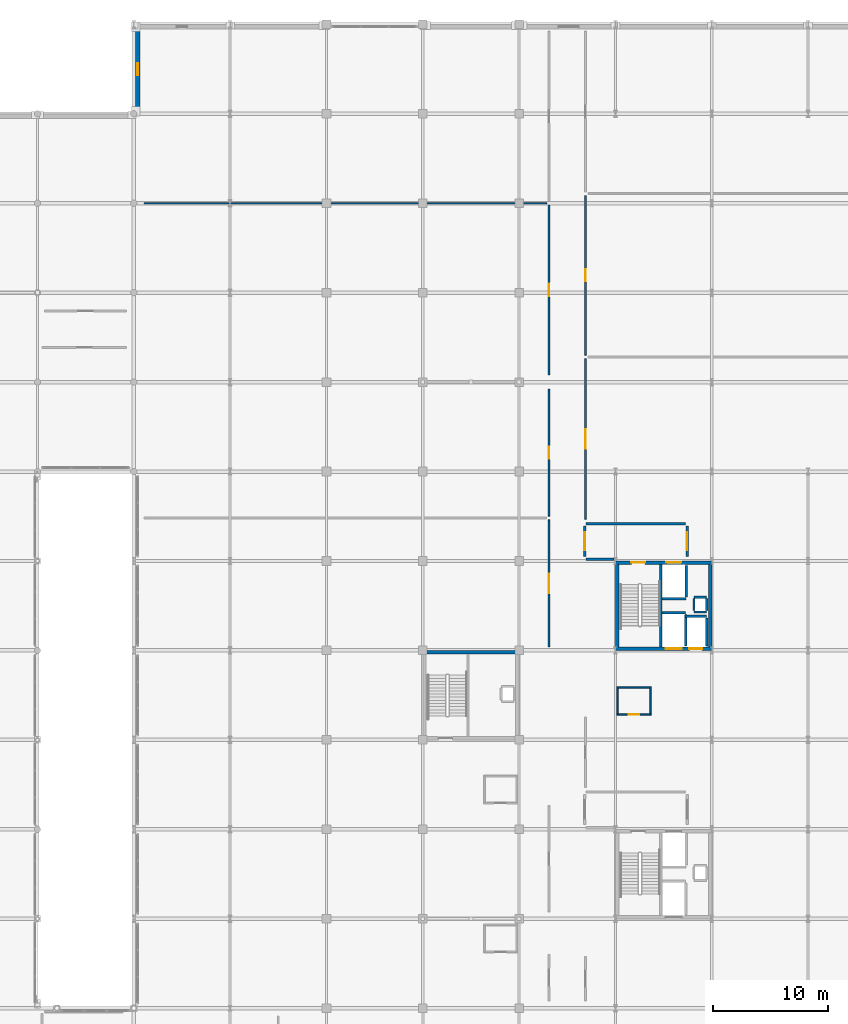
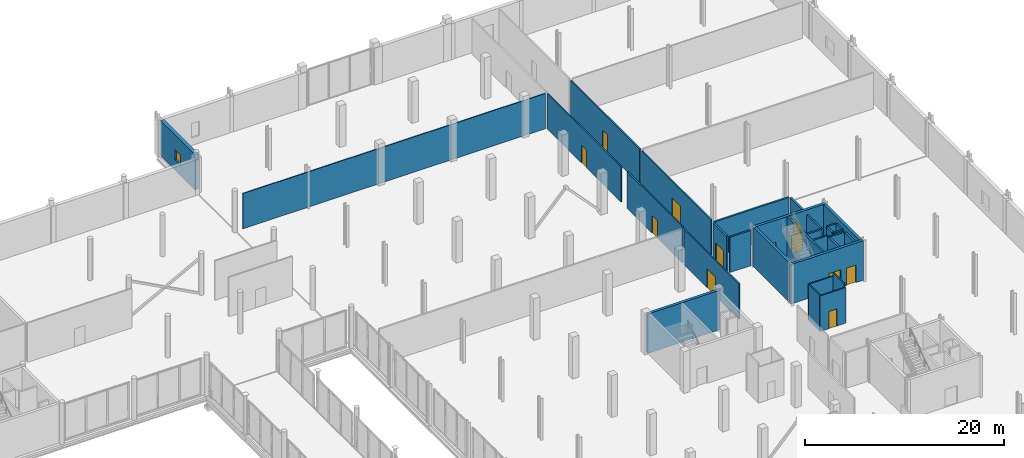
# One storey, part 83 of 105: 31 walls, 12 doors, 1 window, 13 openings.
"""IFC4 building model written with IfcOpenShell, lengths in metres."""

from ifc_helpers import new_model, si_unit, direction, frame, frame_2d, origin, place, context, subcontext, project, spatial, rectangle, extrude, material, layer, layer_set, type_object, element, fill, save


model = new_model("IFC4")

# Units and contexts
model_context = context("Model", 3, precision=1e-05, world=origin(), true_north=direction((0.0, 1.0)))
body_context = subcontext(model_context, "Body", "Model", "MODEL_VIEW")
ifc_project = project(units=[si_unit("LENGTHUNIT", "METRE"), si_unit("AREAUNIT", "SQUARE_METRE"), si_unit("VOLUMEUNIT", "CUBIC_METRE"), si_unit("PLANEANGLEUNIT", "RADIAN"), si_unit("MASSUNIT", "GRAM", prefix="KILO")], contexts=[model_context])

# Site, building, storey
site_placement = place(None, origin())
site = spatial("IfcSite", under=ifc_project, at=site_placement, CompositionType="ELEMENT")
building_placement = place(site_placement, origin())
building = spatial("IfcBuilding", under=site, at=building_placement, Name="Nabrawat Pavilion Hospital", CompositionType="ELEMENT")
storey_placement = place(building_placement, frame((0.0, 0.0, 5.10009765625)))
storey = spatial("IfcBuildingStorey", under=building, at=storey_placement, Name="L01", CompositionType="ELEMENT", Elevation=5.10009765625)

# Wall
ifc_material_1 = material(Name="Gypsum Plasterboard on Stud", Category="gypsum")
ifc_layer_1 = layer(ifc_material_1, 0.10009765625, Name="Gypsum Plasterboard on Stud")
ifc_layer_set_1 = layer_set([ifc_layer_1], Name="Gypsum Plasterboard on Stud")
wall_type_1 = type_object("IfcWallType", Name="Clean Utility Sub-Partition 100", PredefinedType="PARTITIONING", material=ifc_layer_set_1)
wall_1_placement = place(storey_placement, frame((126.889892578125, 109.199951171875, 0.0), z_axis=(0.0, 0.0, 1.0), x_axis=(1.0, 0.0, 0.0)))
element("IfcWall", 1, at=wall_1_placement, inside=storey, type_object=wall_type_1, Name="L01 Maternity Perinatal Clinical Care Hub L01-05 Dividing Partition", PredefinedType="PARTITIONING", context=body_context, shape_type="SweptSolid", body=[
    extrude(rectangle(XDim=35.10009765625, YDim=0.10009765625, at=frame_2d((17.550048828125, 0.0))), origin(), (0.0, 0.0, 1.0), 4.329833984375),
])

# Wall, opening, door
ifc_material_2 = material(Name="Gypsum Fireboard on Steel Stud", Category="steel")
ifc_layer_2 = layer(ifc_material_2, 0.14990234375, Name="Gypsum Fireboard on Steel Stud")
ifc_layer_set_2 = layer_set([ifc_layer_2], Name="Gypsum Fireboard on Steel Stud")
wall_type_2 = type_object("IfcWallType", Name="Clinical Corridor Smoke-Barrier Wall 150", PredefinedType="PARTITIONING", material=ifc_layer_set_2)
wall_2_placement = place(storey_placement, frame((162.2099609375, 70.52001953125, 0.0), z_axis=(0.0, 0.0, 1.0), x_axis=(0.0, 1.0, 0.0)))
wall_2 = element("IfcWall", 2, at=wall_2_placement, inside=storey, type_object=wall_type_2, Name="L01 Intensive Care Pod Neonatal NICU L01-03 Front Partition", PredefinedType="PARTITIONING", context=body_context, shape_type="SweptSolid", body=[
    extrude(rectangle(XDim=11.070068359375, YDim=0.14990234375, at=frame_2d((5.53515625, 0.0))), origin(), (0.0, 0.0, 1.0), 4.329833984375),
])
opening_1_placement = place(wall_2_placement, frame((4.68505859375, 0.0, 0.0)))
opening_1 = element("IfcOpeningElement", 3, at=opening_1_placement, cuts=wall_2, Name="Opening D-ICU", PredefinedType="OPENING", context=body_context, shape_type="SweptSolid", body=[
    extrude(rectangle(XDim=1.699951171875, YDim=2.300048828125, at=frame_2d((0.85009765625, 1.14990234375))), frame((0.0, 0.0849609375, 0.0), z_axis=(0.0, -1.0, 0.0), x_axis=(1.0, 0.0, 0.0)), (0.0, 0.0, 1.0), 0.169921875),
])
ifc_material_3 = material(Name="Stainless-Clad Acoustic Timber and Vision Glass", Category="wood")
door_type_1 = type_object("IfcDoorType", Name="Intensive Care Glazed Breakout Door 1700x2300", OperationType="DOUBLE_DOOR_SLIDING", PredefinedType="DOOR", material=ifc_material_3)
door_1_placement = place(opening_1_placement, origin())
door_1 = element("IfcDoor", 4, at=door_1_placement, inside=storey, type_object=door_type_1, Name="Intensive Care Pod Neonatal NICU L01-03 Door", OperationType="DOUBLE_DOOR_SLIDING", OverallHeight=2.300048828125, OverallWidth=1.699951171875, PredefinedType="DOOR", context=body_context, shape_type="SweptSolid", body=[
    extrude(rectangle(XDim=1.699951171875, YDim=2.300048828125, at=frame_2d((0.85009765625, 1.14990234375))), frame((0.0, 0.02490234375, 0.0), z_axis=(0.0, -1.0, 0.0), x_axis=(1.0, 0.0, 0.0)), (0.0, 0.0, 1.0), 0.050048828125),
])
fill(opening_1, door_1)

wall_3_placement = place(storey_placement, frame((162.2099609375, 81.909912109375, 0.0), z_axis=(0.0, 0.0, 1.0), x_axis=(0.0, 1.0, 0.0)))
wall_3 = element("IfcWall", 5, at=wall_3_placement, inside=storey, type_object=wall_type_2, Name="L01 Maternity Ward Nurse Station L01-04 Front Partition", PredefinedType="PARTITIONING", context=body_context, shape_type="SweptSolid", body=[
    extrude(rectangle(XDim=11.070068359375, YDim=0.14990234375, at=frame_2d((5.53515625, 0.0))), origin(), (0.0, 0.0, 1.0), 4.489990234375),
])
opening_2_placement = place(wall_3_placement, frame((5.010009765625, 0.0, 0.0)))
opening_2 = element("IfcOpeningElement", 6, at=opening_2_placement, cuts=wall_3, Name="Opening D-OPC-L", PredefinedType="OPENING", context=body_context, shape_type="SweptSolid", body=[
    extrude(rectangle(XDim=1.050048828125, YDim=2.14990234375, at=frame_2d((0.52490234375, 1.074951171875))), frame((0.0, 0.0849609375, 0.0), z_axis=(0.0, -1.0, 0.0), x_axis=(1.0, 0.0, 0.0)), (0.0, 0.0, 1.0), 0.169921875),
])
door_type_2 = type_object("IfcDoorType", Name="Outpatient Clinic Consultation Door L 1050x2150", OperationType="NOTDEFINED", PredefinedType="DOOR", material=ifc_material_3)
door_2_placement = place(opening_2_placement, origin())
door_2 = element("IfcDoor", 7, at=door_2_placement, inside=storey, type_object=door_type_2, Name="Maternity Ward Nurse Station L01-04 Door", OperationType="SINGLE_SWING_RIGHT", OverallHeight=2.14990234375, OverallWidth=1.050048828125, PredefinedType="DOOR", context=body_context, shape_type="SweptSolid", body=[
    extrude(rectangle(XDim=1.050048828125, YDim=2.14990234375, at=frame_2d((0.52490234375, 1.074951171875))), frame((0.0, 0.02490234375, 0.0), z_axis=(0.0, -1.0, 0.0), x_axis=(1.0, 0.0, 0.0)), (0.0, 0.0, 1.0), 0.050048828125),
])
fill(opening_2, door_2)

wall_4_placement = place(storey_placement, frame((162.2099609375, 94.219970703125, 0.0), z_axis=(0.0, 0.0, 1.0), x_axis=(0.0, 1.0, 0.0)))
wall_4 = element("IfcWall", 8, at=wall_4_placement, inside=storey, type_object=wall_type_2, Name="L01 Maternity Perinatal Clinical Care Hub L01-05 Front Partition", PredefinedType="PARTITIONING", context=body_context, shape_type="SweptSolid", body=[
    extrude(rectangle(XDim=14.820068359375, YDim=0.14990234375, at=frame_2d((7.41015625, 0.0))), origin(), (0.0, 0.0, 1.0), 4.329833984375),
])
opening_3_placement = place(wall_4_placement, frame((6.885009765625, 0.0, 0.0)))
opening_3 = element("IfcOpeningElement", 9, at=opening_3_placement, cuts=wall_4, Name="Opening D-OPC-R", PredefinedType="OPENING", context=body_context, shape_type="SweptSolid", body=[
    extrude(rectangle(XDim=1.050048828125, YDim=2.14990234375, at=frame_2d((0.52490234375, 1.074951171875))), frame((0.0, 0.0849609375, 0.0), z_axis=(0.0, -1.0, 0.0), x_axis=(1.0, 0.0, 0.0)), (0.0, 0.0, 1.0), 0.169921875),
])
door_type_3 = type_object("IfcDoorType", Name="Outpatient Clinic Consultation Door R 1050x2150", OperationType="NOTDEFINED", PredefinedType="DOOR", material=ifc_material_3)
door_3_placement = place(opening_3_placement, origin())
door_3 = element("IfcDoor", 10, at=door_3_placement, inside=storey, type_object=door_type_3, Name="Maternity Perinatal Clinical Care Hub L01-05 Door", OperationType="SINGLE_SWING_LEFT", OverallHeight=2.14990234375, OverallWidth=1.050048828125, PredefinedType="DOOR", context=body_context, shape_type="SweptSolid", body=[
    extrude(rectangle(XDim=1.050048828125, YDim=2.14990234375, at=frame_2d((0.52490234375, 1.074951171875))), frame((0.0, 0.02490234375, 0.0), z_axis=(0.0, -1.0, 0.0), x_axis=(1.0, 0.0, 0.0)), (0.0, 0.0, 1.0), 0.050048828125),
])
fill(opening_3, door_3)

wall_5_placement = place(storey_placement, frame((165.389892578125, 81.64990234375, 0.0), z_axis=(0.0, 0.0, 1.0), x_axis=(0.0, 1.0, 0.0)))
wall_5 = element("IfcWall", 11, at=wall_5_placement, inside=storey, type_object=wall_type_2, Name="L01 Intensive Care Pod Neonatal NICU L01-09 Front Partition", PredefinedType="PARTITIONING", context=body_context, shape_type="SweptSolid", body=[
    extrude(rectangle(XDim=13.989990234375, YDim=0.14990234375, at=frame_2d((6.9951171875, 0.0))), origin(), (0.0, 0.0, 1.0), 4.329833984375),
])
opening_4_placement = place(wall_5_placement, frame((6.14501953125, 0.0, 0.0)))
opening_4 = element("IfcOpeningElement", 12, at=opening_4_placement, cuts=wall_5, Name="Opening D-ICU", PredefinedType="OPENING", context=body_context, shape_type="SweptSolid", body=[
    extrude(rectangle(XDim=1.699951171875, YDim=2.300048828125, at=frame_2d((0.85009765625, 1.14990234375))), frame((0.0, 0.0849609375, 0.0), z_axis=(0.0, -1.0, 0.0), x_axis=(1.0, 0.0, 0.0)), (0.0, 0.0, 1.0), 0.169921875),
])
door_4_placement = place(opening_4_placement, origin())
door_4 = element("IfcDoor", 13, at=door_4_placement, inside=storey, type_object=door_type_1, Name="Intensive Care Pod Neonatal NICU L01-09 Door", OperationType="DOUBLE_DOOR_SLIDING", OverallHeight=2.300048828125, OverallWidth=1.699951171875, PredefinedType="DOOR", context=body_context, shape_type="SweptSolid", body=[
    extrude(rectangle(XDim=1.699951171875, YDim=2.300048828125, at=frame_2d((0.85009765625, 1.14990234375))), frame((0.0, 0.02490234375, 0.0), z_axis=(0.0, -1.0, 0.0), x_axis=(1.0, 0.0, 0.0)), (0.0, 0.0, 1.0), 0.050048828125),
])
fill(opening_4, door_4)

wall_6_placement = place(storey_placement, frame((165.389892578125, 95.9599609375, 0.0), z_axis=(0.0, 0.0, 1.0), x_axis=(0.0, 1.0, 0.0)))
wall_6 = element("IfcWall", 14, at=wall_6_placement, inside=storey, type_object=wall_type_2, Name="L01 Maternity Ward Nurse Station L01-10 Front Partition", PredefinedType="PARTITIONING", context=body_context, shape_type="SweptSolid", body=[
    extrude(rectangle(XDim=13.91015625, YDim=0.14990234375, at=frame_2d((6.955078125, 0.0))), origin(), (0.0, 0.0, 1.0), 4.329833984375),
])
opening_5_placement = place(wall_6_placement, frame((6.429931640625, 0.0, 0.0)))
opening_5 = element("IfcOpeningElement", 15, at=opening_5_placement, cuts=wall_6, Name="Opening D-OPC-R", PredefinedType="OPENING", context=body_context, shape_type="SweptSolid", body=[
    extrude(rectangle(XDim=1.050048828125, YDim=2.14990234375, at=frame_2d((0.52490234375, 1.074951171875))), frame((0.0, 0.0849609375, 0.0), z_axis=(0.0, -1.0, 0.0), x_axis=(1.0, 0.0, 0.0)), (0.0, 0.0, 1.0), 0.169921875),
])
door_5_placement = place(opening_5_placement, origin())
door_5 = element("IfcDoor", 16, at=door_5_placement, inside=storey, type_object=door_type_3, Name="Maternity Ward Nurse Station L01-10 Door", OperationType="SINGLE_SWING_LEFT", OverallHeight=2.14990234375, OverallWidth=1.050048828125, PredefinedType="DOOR", context=body_context, shape_type="SweptSolid", body=[
    extrude(rectangle(XDim=1.050048828125, YDim=2.14990234375, at=frame_2d((0.52490234375, 1.074951171875))), frame((0.0, 0.02490234375, 0.0), z_axis=(0.0, -1.0, 0.0), x_axis=(1.0, 0.0, 0.0)), (0.0, 0.0, 1.0), 0.050048828125),
])
fill(opening_5, door_5)

# Wall, opening, window
ifc_material_4 = material(Name="Precast concrete C40/50", Category="concrete")
ifc_layer_3 = layer(ifc_material_4, 0.419921875, Name="Precast concrete C40/50")
ifc_layer_set_3 = layer_set([ifc_layer_3], Name="Precast concrete C40/50")
wall_type_3 = type_object("IfcWallType", Name="Diagnostic Shielded Precast Facade Wall 420", PredefinedType="SOLIDWALL", material=ifc_layer_set_3)
wall_7_placement = place(storey_placement, frame((126.340087890625, 117.43994140625, 0.0), z_axis=(0.0, 0.0, 1.0), x_axis=(0.0, 1.0, 0.0)))
wall_7 = element("IfcWall", 17, at=wall_7_placement, inside=storey, type_object=wall_type_3, Name="L01 Diagnostic Shielded Precast Facade Wall 420 213", PredefinedType="SOLIDWALL", context=body_context, shape_type="SweptSolid", body=[
    extrude(rectangle(XDim=6.920166015625, YDim=0.419921875, at=frame_2d((3.4599609375, 0.0))), origin(), (0.0, 0.0, 1.0), 4.329833984375),
])
opening_6_placement = place(wall_7_placement, frame((2.93505859375, 0.0, 1.300048828125)))
opening_6 = element("IfcOpeningElement", 18, at=opening_6_placement, cuts=wall_7, Name="Opening WN-18", PredefinedType="OPENING", context=body_context, shape_type="SweptSolid", body=[
    extrude(rectangle(XDim=1.050048828125, YDim=1.199951171875, at=frame_2d((0.52490234375, 0.60009765625))), frame((0.0, 0.219970703125, 0.0), z_axis=(0.0, -1.0, 0.0), x_axis=(1.0, 0.0, 0.0)), (0.0, 0.0, 1.0), 0.43994140625),
])
ifc_material_5 = material(Name="Thermally Broken Aluminium and Solar Glass", Category="aluminium")
window_type = type_object("IfcWindowType", Name="Pharmacy Daylight Slot Window 1050x1200", PartitioningType="SINGLE_PANEL", PredefinedType="WINDOW", material=ifc_material_5)
window_placement = place(opening_6_placement, origin())
window = element("IfcWindow", 19, at=window_placement, inside=storey, type_object=window_type, Name="L01 Pharmacy Daylight Slot Window 1050x1200 082", OverallHeight=1.199951171875, OverallWidth=1.050048828125, PartitioningType="SINGLE_PANEL", PredefinedType="WINDOW", context=body_context, shape_type="SweptSolid", body=[
    extrude(rectangle(XDim=1.050048828125, YDim=1.199951171875, at=frame_2d((0.52490234375, 0.60009765625))), frame((0.0, 0.030029296875, 0.0), z_axis=(0.0, -1.0, 0.0), x_axis=(1.0, 0.0, 0.0)), (0.0, 0.0, 1.0), 0.06005859375),
])
fill(opening_6, window)

# Wall, opening, door
ifc_material_6 = material(Name="Cement Board on Steel Stud", Category="steel")
ifc_layer_4 = layer(ifc_material_6, 0.1298828125, Name="Cement Board on Steel Stud")
ifc_layer_set_4 = layer_set([ifc_layer_4], Name="Cement Board on Steel Stud")
wall_type_4 = type_object("IfcWallType", Name="En-Suite Moisture-Resistant Partition 130", PredefinedType="PARTITIONING", material=ifc_layer_set_4)
wall_8_placement = place(storey_placement, frame((168.125, 64.6298828125, 0.0), z_axis=(0.0, 0.0, 1.0), x_axis=(1.0, 0.0, 0.0)))
wall_8 = element("IfcWall", 20, at=wall_8_placement, inside=storey, type_object=wall_type_4, Name="L01 En-Suite Bathroom LDR-01-08 Front Partition", PredefinedType="PARTITIONING", context=body_context, shape_type="SweptSolid", body=[
    extrude(rectangle(XDim=2.97998046875, YDim=0.1298828125, at=frame_2d((1.489990234375, 0.0))), origin(), (0.0, 0.0, 1.0), 4.3798828125),
])
opening_7_placement = place(wall_8_placement, frame((1.0400390625, 0.0, 0.0)))
opening_7 = element("IfcOpeningElement", 21, at=opening_7_placement, cuts=wall_8, Name="Opening D-ENS-R", PredefinedType="OPENING", context=body_context, shape_type="SweptSolid", body=[
    extrude(rectangle(XDim=0.89990234375, YDim=2.10009765625, at=frame_2d((0.449951171875, 1.050048828125))), frame((0.0, 0.074951171875, 0.0), z_axis=(0.0, -1.0, 0.0), x_axis=(1.0, 0.0, 0.0)), (0.0, 0.0, 1.0), 0.14990234375),
])
door_type_4 = type_object("IfcDoorType", Name="En-Suite Bathroom Outward Door R 900x2100", OperationType="NOTDEFINED", PredefinedType="DOOR", material=ifc_material_3)
door_6_placement = place(opening_7_placement, origin())
door_6 = element("IfcDoor", 22, at=door_6_placement, inside=storey, type_object=door_type_4, Name="En-Suite Bathroom LDR-01-08 Door", OperationType="SINGLE_SWING_LEFT", OverallHeight=2.10009765625, OverallWidth=0.89990234375, PredefinedType="DOOR", context=body_context, shape_type="SweptSolid", body=[
    extrude(rectangle(XDim=0.89990234375, YDim=2.10009765625, at=frame_2d((0.449951171875, 1.050048828125))), frame((0.0, 0.02490234375, 0.0), z_axis=(0.0, -1.0, 0.0), x_axis=(1.0, 0.0, 0.0)), (0.0, 0.0, 1.0), 0.050048828125),
])
fill(opening_7, door_6)

# Walls
wall_9_placement = place(storey_placement, frame((168.125, 66.97998046875, 0.0), z_axis=(0.0, 0.0, 1.0), x_axis=(1.0, 0.0, 0.0)))
element("IfcWall", 23, at=wall_9_placement, inside=storey, type_object=wall_type_4, Name="L01 En-Suite Bathroom LDR-01-08 North Partition", PredefinedType="PARTITIONING", context=body_context, shape_type="SweptSolid", body=[
    extrude(rectangle(XDim=2.97998046875, YDim=0.1298828125, at=frame_2d((1.489990234375, 0.0))), origin(), (0.0, 0.0, 1.0), 4.3798828125),
])
wall_10_placement = place(storey_placement, frame((168.18994140625, 64.695068359375, 0.0), z_axis=(0.0, 0.0, 1.0), x_axis=(0.0, 1.0, 0.0)))
element("IfcWall", 24, at=wall_10_placement, inside=storey, type_object=wall_type_4, Name="L01 En-Suite Bathroom LDR-01-08 West Partition", PredefinedType="PARTITIONING", context=body_context, shape_type="SweptSolid", body=[
    extrude(rectangle(XDim=2.219970703125, YDim=0.1298828125, at=frame_2d((1.10986328125, 0.0))), origin(), (0.0, 0.0, 1.0), 4.3798828125),
])
wall_11_placement = place(storey_placement, frame((171.0400390625, 64.695068359375, 0.0), z_axis=(0.0, 0.0, 1.0), x_axis=(0.0, 1.0, 0.0)))
element("IfcWall", 25, at=wall_11_placement, inside=storey, type_object=wall_type_4, Name="L01 En-Suite Bathroom LDR-01-08 East Partition", PredefinedType="PARTITIONING", context=body_context, shape_type="SweptSolid", body=[
    extrude(rectangle(XDim=2.219970703125, YDim=0.1298828125, at=frame_2d((1.10986328125, 0.0))), origin(), (0.0, 0.0, 1.0), 4.81982421875),
])
ifc_material_7 = material(Name="Concrete C35/45", Category="concrete")
ifc_layer_5 = layer(ifc_material_7, 0.199951171875, Name="Concrete C35/45")
ifc_layer_set_5 = layer_set([ifc_layer_5], Name="Concrete C35/45")
wall_type_5 = type_object("IfcWallType", Name="Firefighting Lobby Compartment Wall 200", PredefinedType="PARTITIONING", material=ifc_layer_set_5)
wall_12_placement = place(storey_placement, frame((165.43994140625, 78.14990234375, 0.0), z_axis=(0.0, 0.0, 1.0), x_axis=(1.0, 0.0, 0.0)))
element("IfcWall", 26, at=wall_12_placement, inside=storey, type_object=wall_type_5, Name="L01 CORE-6 Firefighting Lobby South Return Wall", PredefinedType="PARTITIONING", context=body_context, shape_type="SweptSolid", body=[
    extrude(rectangle(XDim=2.43994140625, YDim=0.199951171875, at=frame_2d((1.219970703125, 0.0))), origin(), (0.0, 0.0, 1.0), 4.329833984375),
])
wall_13_placement = place(storey_placement, frame((165.43994140625, 81.25, 0.0), z_axis=(0.0, 0.0, 1.0), x_axis=(1.0, 0.0, 0.0)))
element("IfcWall", 27, at=wall_13_placement, inside=storey, type_object=wall_type_5, Name="L01 CORE-6 Firefighting Lobby North Compartment Wall", PredefinedType="PARTITIONING", context=body_context, shape_type="SweptSolid", body=[
    extrude(rectangle(XDim=8.66015625, YDim=0.199951171875, at=frame_2d((4.330078125, 0.0))), origin(), (0.0, 0.0, 1.0), 4.329833984375),
])

# Wall, opening, door
wall_14_placement = place(storey_placement, frame((165.320068359375, 78.39990234375, 0.0), z_axis=(0.0, 0.0, 1.0), x_axis=(0.0, 1.0, 0.0)))
wall_14 = element("IfcWall", 28, at=wall_14_placement, inside=storey, type_object=wall_type_5, Name="L01 CORE-6 Firefighting Lobby West Compartment Wall", PredefinedType="PARTITIONING", context=body_context, shape_type="SweptSolid", body=[
    extrude(rectangle(XDim=2.650146484375, YDim=0.199951171875, at=frame_2d((1.3251953125, 0.0))), origin(), (0.0, 0.0, 1.0), 4.329833984375),
])
opening_8_placement = place(wall_14_placement, frame((0.52490234375, 0.0, 0.0)))
opening_8 = element("IfcOpeningElement", 29, at=opening_8_placement, cuts=wall_14, Name="Opening D-FFL", PredefinedType="OPENING", context=body_context, shape_type="SweptSolid", body=[
    extrude(rectangle(XDim=1.60009765625, YDim=2.199951171875, at=frame_2d((0.800048828125, 1.10009765625))), frame((0.0, 0.10986328125, 0.0), z_axis=(0.0, -1.0, 0.0), x_axis=(1.0, 0.0, 0.0)), (0.0, 0.0, 1.0), 0.219970703125),
])
door_type_5 = type_object("IfcDoorType", Name="D-FFL Firefighting Lobby Double Smoke Door 1600x2200", OperationType="NOTDEFINED", PredefinedType="DOOR", material=ifc_material_3)
door_7_placement = place(opening_8_placement, origin())
door_7 = element("IfcDoor", 30, at=door_7_placement, inside=storey, type_object=door_type_5, Name="L01 CORE-6 Firefighting Lobby West Smoke Door", OperationType="DOUBLE_DOOR_SINGLE_SWING", OverallHeight=2.199951171875, OverallWidth=1.60009765625, PredefinedType="DOOR", context=body_context, shape_type="SweptSolid", body=[
    extrude(rectangle(XDim=1.60009765625, YDim=2.199951171875, at=frame_2d((0.800048828125, 1.10009765625))), frame((0.0, 0.02490234375, 0.0), z_axis=(0.0, -1.0, 0.0), x_axis=(1.0, 0.0, 0.0)), (0.0, 0.0, 1.0), 0.050048828125),
])
fill(opening_8, door_7)

wall_15_placement = place(storey_placement, frame((174.25, 78.39990234375, 0.0), z_axis=(0.0, 0.0, 1.0), x_axis=(0.0, 1.0, 0.0)))
wall_15 = element("IfcWall", 31, at=wall_15_placement, inside=storey, type_object=wall_type_5, Name="L01 CORE-6 Firefighting Lobby East Compartment Wall", PredefinedType="PARTITIONING", context=body_context, shape_type="SweptSolid", body=[
    extrude(rectangle(XDim=2.650146484375, YDim=0.199951171875, at=frame_2d((1.3251953125, 0.0))), origin(), (0.0, 0.0, 1.0), 4.329833984375),
])
opening_9_placement = place(wall_15_placement, frame((0.52490234375, 0.0, 0.0)))
opening_9 = element("IfcOpeningElement", 32, at=opening_9_placement, cuts=wall_15, Name="Opening D-FFL", PredefinedType="OPENING", context=body_context, shape_type="SweptSolid", body=[
    extrude(rectangle(XDim=1.60009765625, YDim=2.199951171875, at=frame_2d((0.800048828125, 1.10009765625))), frame((0.0, 0.10986328125, 0.0), z_axis=(0.0, -1.0, 0.0), x_axis=(1.0, 0.0, 0.0)), (0.0, 0.0, 1.0), 0.219970703125),
])
door_8_placement = place(opening_9_placement, origin())
door_8 = element("IfcDoor", 33, at=door_8_placement, inside=storey, type_object=door_type_5, Name="L01 CORE-6 Firefighting Lobby East Smoke Door", OperationType="DOUBLE_DOOR_SINGLE_SWING", OverallHeight=2.199951171875, OverallWidth=1.60009765625, PredefinedType="DOOR", context=body_context, shape_type="SweptSolid", body=[
    extrude(rectangle(XDim=1.60009765625, YDim=2.199951171875, at=frame_2d((0.800048828125, 1.10009765625))), frame((0.0, 0.02490234375, 0.0), z_axis=(0.0, -1.0, 0.0), x_axis=(1.0, 0.0, 0.0)), (0.0, 0.0, 1.0), 0.050048828125),
])
fill(opening_9, door_8)

# Walls
ifc_layer_6 = layer(ifc_material_7, 0.199951171875, Name="Concrete C35/45")
ifc_layer_set_6 = layer_set([ifc_layer_6], Name="Concrete C35/45")
wall_type_6 = type_object("IfcWallType", Name="Lift and Riser Fire Shaft Wall 200", PredefinedType="PARTITIONING", material=ifc_layer_set_6)
wall_16_placement = place(storey_placement, frame((171.949951171875, 70.52001953125, 0.0), z_axis=(0.0, 0.0, 1.0), x_axis=(0.0, 1.0, 0.0)))
element("IfcWall", 34, at=wall_16_placement, inside=storey, type_object=wall_type_6, Name="L01 CORE-6 Stair-Lift Dividing Shear Wall", PredefinedType="SHEAR", context=body_context, shape_type="SweptSolid", body=[
    extrude(rectangle(XDim=7.159912109375, YDim=0.199951171875, at=frame_2d((3.580078125, 0.0))), origin(), (0.0, 0.0, 1.0), 4.849853515625),
])
for number, where, z_axis, x_axis, name in (
    (35, (174.85009765625, 73.550048828125, 0.0), (0.0, 0.0, 1.0), (1.0, 0.0, 0.0), "L01 CORE-6 MEP Riser Shaft Wall S"),
    (36, (174.85009765625, 74.85009765625, 0.0), (0.0, 0.0, 1.0), (1.0, 0.0, 0.0), "L01 CORE-6 MEP Riser Shaft Wall N"),
):
    element("IfcWall", number, at=place(storey_placement, frame(where, z_axis=z_axis, x_axis=x_axis)), inside=storey, type_object=wall_type_6, Name=name, PredefinedType="PARTITIONING", context=body_context, shape_type="SweptSolid", body=[
        extrude(rectangle(XDim=1.099853515625, YDim=0.199951171875, at=frame_2d((0.5498046875, 0.0))), origin(), (0.0, 0.0, 1.0), 4.329833984375),
    ])
for number, where, z_axis, x_axis, name in (
    (37, (174.85009765625, 73.669921875, 0.0), (0.0, 0.0, 1.0), (0.0, 1.0, 0.0), "L01 CORE-6 MEP Riser Shaft Wall W"),
    (38, (175.949951171875, 73.669921875, 0.0), (0.0, 0.0, 1.0), (0.0, 1.0, 0.0), "L01 CORE-6 MEP Riser Shaft Wall E"),
):
    element("IfcWall", number, at=place(storey_placement, frame(where, z_axis=z_axis, x_axis=x_axis)), inside=storey, type_object=wall_type_6, Name=name, PredefinedType="PARTITIONING", context=body_context, shape_type="SweptSolid", body=[
        extrude(rectangle(XDim=1.06005859375, YDim=0.199951171875, at=frame_2d((0.530029296875, 0.0))), origin(), (0.0, 0.0, 1.0), 4.329833984375),
    ])
wall_17_placement = place(storey_placement, frame((174.179931640625, 74.8798828125, 0.0), z_axis=(0.0, 0.0, 1.0), x_axis=(0.0, 1.0, 0.0)))
element("IfcWall", 39, at=wall_17_placement, inside=storey, type_object=wall_type_6, Name="L01 Lift LF-02 Shaft East Wall", PredefinedType="PARTITIONING", context=body_context, shape_type="SweptSolid", body=[
    extrude(rectangle(XDim=2.740234375, YDim=0.199951171875, at=frame_2d((1.3701171875, 0.0))), origin(), (0.0, 0.0, 1.0), 4.329833984375),
])
wall_18_placement = place(storey_placement, frame((172.050048828125, 74.719970703125, 0.0), z_axis=(0.0, 0.0, 1.0), x_axis=(1.0, 0.0, 0.0)))
element("IfcWall", 40, at=wall_18_placement, inside=storey, type_object=wall_type_6, Name="L01 Lift LF-02 Shaft Back Wall", PredefinedType="PARTITIONING", context=body_context, shape_type="SweptSolid", body=[
    extrude(rectangle(XDim=2.099853515625, YDim=0.199951171875, at=frame_2d((1.0498046875, 0.0))), origin(), (0.0, 0.0, 1.0), 4.329833984375),
])
wall_19_placement = place(storey_placement, frame((174.139892578125, 70.580078125, 0.0), z_axis=(0.0, 0.0, 1.0), x_axis=(0.0, 1.0, 0.0)))
element("IfcWall", 41, at=wall_19_placement, inside=storey, type_object=wall_type_6, Name="L01 Lift LB-04 Shaft East Wall", PredefinedType="PARTITIONING", context=body_context, shape_type="SweptSolid", body=[
    extrude(rectangle(XDim=2.739990234375, YDim=0.199951171875, at=frame_2d((1.3701171875, 0.0))), origin(), (0.0, 0.0, 1.0), 4.329833984375),
])
wall_20_placement = place(storey_placement, frame((172.050048828125, 73.47998046875, 0.0), z_axis=(0.0, 0.0, 1.0), x_axis=(1.0, 0.0, 0.0)))
element("IfcWall", 42, at=wall_20_placement, inside=storey, type_object=wall_type_6, Name="L01 Lift LB-04 Shaft Back Wall", PredefinedType="PARTITIONING", context=body_context, shape_type="SweptSolid", body=[
    extrude(rectangle(XDim=2.06005859375, YDim=0.199951171875, at=frame_2d((1.030029296875, 0.0))), origin(), (0.0, 0.0, 1.0), 4.329833984375),
])
wall_21_placement = place(storey_placement, frame((175.9599609375, 70.580078125, 0.0), z_axis=(0.0, 0.0, 1.0), x_axis=(0.0, 1.0, 0.0)))
element("IfcWall", 43, at=wall_21_placement, inside=storey, type_object=wall_type_6, Name="L01 Lift LS-02 Shaft East Wall", PredefinedType="PARTITIONING", context=body_context, shape_type="SweptSolid", body=[
    extrude(rectangle(XDim=2.43994140625, YDim=0.199951171875, at=frame_2d((1.219970703125, 0.0))), origin(), (0.0, 0.0, 1.0), 4.329833984375),
])
wall_22_placement = place(storey_placement, frame((174.070068359375, 73.179931640625, 0.0), z_axis=(0.0, 0.0, 1.0), x_axis=(1.0, 0.0, 0.0)))
element("IfcWall", 44, at=wall_22_placement, inside=storey, type_object=wall_type_6, Name="L01 Lift LS-02 Shaft Back Wall", PredefinedType="PARTITIONING", context=body_context, shape_type="SweptSolid", body=[
    extrude(rectangle(XDim=1.85986328125, YDim=0.199951171875, at=frame_2d((0.929931640625, 0.0))), origin(), (0.0, 0.0, 1.0), 4.329833984375),
])

# Wall, openings, doors
ifc_material_8 = material(Name="Concrete C40/50", Category="concrete")
ifc_layer_7 = layer(ifc_material_8, 0.300048828125, Name="Concrete C40/50")
ifc_layer_set_7 = layer_set([ifc_layer_7], Name="Concrete C40/50")
wall_type_7 = type_object("IfcWallType", Name="Reinforced Concrete Core Shear Wall 300", PredefinedType="SHEAR", material=ifc_layer_set_7)
wall_23_placement = place(storey_placement, frame((168.0, 70.35009765625, 0.0), z_axis=(0.0, 0.0, 1.0), x_axis=(1.0, 0.0, 0.0)))
wall_23 = element("IfcWall", 45, at=wall_23_placement, inside=storey, type_object=wall_type_7, Name="L01 CORE-6 South Core Shear Wall", PredefinedType="SHEAR", context=body_context, shape_type="SweptSolid", body=[
    extrude(rectangle(XDim=8.39990234375, YDim=0.300048828125, at=frame_2d((4.199951171875, 0.0))), origin(), (0.0, 0.0, 1.0), 4.849853515625),
])
opening_10_placement = place(wall_23_placement, frame((4.3798828125, 0.0, 0.0)))
opening_10 = element("IfcOpeningElement", 46, at=opening_10_placement, cuts=wall_23, Name="Opening LD-LB-04", PredefinedType="OPENING", context=body_context, shape_type="SweptSolid", body=[
    extrude(rectangle(XDim=1.39990234375, YDim=2.199951171875, at=frame_2d((0.699951171875, 1.10009765625))), frame((0.0, 0.16015625, 0.0), z_axis=(0.0, -1.0, 0.0), x_axis=(1.0, 0.0, 0.0)), (0.0, 0.0, 1.0), 0.320068359375),
])
opening_11_placement = place(wall_23_placement, frame((6.449951171875, 0.0, 0.0)))
opening_11 = element("IfcOpeningElement", 47, at=opening_11_placement, cuts=wall_23, Name="Opening LD-LS-02", PredefinedType="OPENING", context=body_context, shape_type="SweptSolid", body=[
    extrude(rectangle(XDim=1.10009765625, YDim=2.14990234375, at=frame_2d((0.550048828125, 1.074951171875))), frame((0.0, 0.16015625, 0.0), z_axis=(0.0, -1.0, 0.0), x_axis=(1.0, 0.0, 0.0)), (0.0, 0.0, 1.0), 0.320068359375),
])
door_type_6 = type_object("IfcDoorType", Name="Hospital Bed Lift Sliding Landing Door 1400x2200", OperationType="DOUBLE_DOOR_SLIDING", PredefinedType="DOOR", material=ifc_material_3)
door_9_placement = place(opening_10_placement, origin())
door_9 = element("IfcDoor", 48, at=door_9_placement, inside=storey, type_object=door_type_6, Name="L01 Lift LB-04 Sliding Landing Door", OperationType="DOUBLE_DOOR_SLIDING", OverallHeight=2.199951171875, OverallWidth=1.39990234375, PredefinedType="DOOR", context=body_context, shape_type="SweptSolid", body=[
    extrude(rectangle(XDim=1.39990234375, YDim=2.199951171875, at=frame_2d((0.699951171875, 1.10009765625))), frame((0.0, 0.02490234375, 0.0), z_axis=(0.0, -1.0, 0.0), x_axis=(1.0, 0.0, 0.0)), (0.0, 0.0, 1.0), 0.050048828125),
])
fill(opening_10, door_9)
door_type_7 = type_object("IfcDoorType", Name="Passenger Lift Sliding Landing Door 1100x2150", OperationType="DOUBLE_DOOR_SLIDING", PredefinedType="DOOR", material=ifc_material_3)
door_10_placement = place(opening_11_placement, origin())
door_10 = element("IfcDoor", 49, at=door_10_placement, inside=storey, type_object=door_type_7, Name="L01 Lift LS-02 Sliding Landing Door", OperationType="DOUBLE_DOOR_SLIDING", OverallHeight=2.14990234375, OverallWidth=1.10009765625, PredefinedType="DOOR", context=body_context, shape_type="SweptSolid", body=[
    extrude(rectangle(XDim=1.10009765625, YDim=2.14990234375, at=frame_2d((0.550048828125, 1.074951171875))), frame((0.0, 0.02490234375, 0.0), z_axis=(0.0, -1.0, 0.0), x_axis=(1.0, 0.0, 0.0)), (0.0, 0.0, 1.0), 0.050048828125),
])
fill(opening_11, door_10)

wall_24_placement = place(storey_placement, frame((168.0, 77.85009765625, 0.0), z_axis=(0.0, 0.0, 1.0), x_axis=(1.0, 0.0, 0.0)))
wall_24 = element("IfcWall", 50, at=wall_24_placement, inside=storey, type_object=wall_type_7, Name="L01 CORE-6 North Core Shear Wall", PredefinedType="SHEAR", context=body_context, shape_type="SweptSolid", body=[
    extrude(rectangle(XDim=8.39990234375, YDim=0.300048828125, at=frame_2d((4.199951171875, 0.0))), origin(), (0.0, 0.0, 1.0), 4.849853515625),
])
opening_12_placement = place(wall_24_placement, frame((1.3798828125, 0.0, 0.0)))
opening_12 = element("IfcOpeningElement", 51, at=opening_12_placement, cuts=wall_24, Name="Opening D-STAIR", PredefinedType="OPENING", context=body_context, shape_type="SweptSolid", body=[
    extrude(rectangle(XDim=1.199951171875, YDim=2.14990234375, at=frame_2d((0.60009765625, 1.074951171875))), frame((0.0, 0.16015625, 0.0), z_axis=(0.0, -1.0, 0.0), x_axis=(1.0, 0.0, 0.0)), (0.0, 0.0, 1.0), 0.320068359375),
])
opening_13_placement = place(wall_24_placement, frame((4.449951171875, 0.0, 0.0)))
opening_13 = element("IfcOpeningElement", 52, at=opening_13_placement, cuts=wall_24, Name="Opening LD-LF-02", PredefinedType="OPENING", context=body_context, shape_type="SweptSolid", body=[
    extrude(rectangle(XDim=1.300048828125, YDim=2.199951171875, at=frame_2d((0.64990234375, 1.10009765625))), frame((0.0, 0.16015625, 0.0), z_axis=(0.0, -1.0, 0.0), x_axis=(1.0, 0.0, 0.0)), (0.0, 0.0, 1.0), 0.320068359375),
])
door_type_8 = type_object("IfcDoorType", Name="D-STAIR Exit Stair Fire Door 1200x2150", OperationType="NOTDEFINED", PredefinedType="DOOR", material=ifc_material_3)
door_11_placement = place(opening_12_placement, origin())
door_11 = element("IfcDoor", 53, at=door_11_placement, inside=storey, type_object=door_type_8, Name="L01 ST-06 Fire Exit Stair Door", OperationType="SINGLE_SWING_LEFT", OverallHeight=2.14990234375, OverallWidth=1.199951171875, PredefinedType="DOOR", context=body_context, shape_type="SweptSolid", body=[
    extrude(rectangle(XDim=1.199951171875, YDim=2.14990234375, at=frame_2d((0.60009765625, 1.074951171875))), frame((0.0, 0.02490234375, 0.0), z_axis=(0.0, -1.0, 0.0), x_axis=(1.0, 0.0, 0.0)), (0.0, 0.0, 1.0), 0.050048828125),
])
fill(opening_12, door_11)
door_type_9 = type_object("IfcDoorType", Name="Firefighting Lift Sliding Landing Door 1300x2200", OperationType="DOUBLE_DOOR_SLIDING", PredefinedType="DOOR", material=ifc_material_3)
door_12_placement = place(opening_13_placement, origin())
door_12 = element("IfcDoor", 54, at=door_12_placement, inside=storey, type_object=door_type_9, Name="L01 Lift LF-02 Sliding Landing Door", OperationType="DOUBLE_DOOR_SLIDING", OverallHeight=2.199951171875, OverallWidth=1.300048828125, PredefinedType="DOOR", context=body_context, shape_type="SweptSolid", body=[
    extrude(rectangle(XDim=1.300048828125, YDim=2.199951171875, at=frame_2d((0.64990234375, 1.10009765625))), frame((0.0, 0.02490234375, 0.0), z_axis=(0.0, -1.0, 0.0), x_axis=(1.0, 0.0, 0.0)), (0.0, 0.0, 1.0), 0.050048828125),
])
fill(opening_13, door_12)

# Walls
for number, where, z_axis, x_axis, name in (
    (55, (168.14990234375, 70.5, 0.0), (0.0, 0.0, 1.0), (0.0, 1.0, 0.0), "L01 CORE-6 West Core Shear Wall"),
    (56, (176.25, 70.5, 0.0), (0.0, 0.0, 1.0), (0.0, 1.0, 0.0), "L01 CORE-6 East Core Shear Wall"),
):
    element("IfcWall", number, at=place(storey_placement, frame(where, z_axis=z_axis, x_axis=x_axis)), inside=storey, type_object=wall_type_7, Name=name, PredefinedType="SHEAR", context=body_context, shape_type="SweptSolid", body=[
        extrude(rectangle(XDim=7.199951171875, YDim=0.300048828125, at=frame_2d((3.60009765625, 0.0))), origin(), (0.0, 0.0, 1.0), 4.849853515625),
    ])
wall_25_placement = place(storey_placement, frame((151.199951171875, 70.050048828125, 0.0), z_axis=(0.0, 0.0, 1.0), x_axis=(1.0, 0.0, 0.0)))
element("IfcWall", 57, at=wall_25_placement, inside=storey, type_object=wall_type_7, Name="L01 CORE-9 North Core Shear Wall", PredefinedType="SHEAR", context=body_context, shape_type="SweptSolid", body=[
    extrude(rectangle(XDim=8.400146484375, YDim=0.300048828125, at=frame_2d((4.2001953125, 0.0))), origin(), (0.0, 0.0, 1.0), 4.849853515625),
])

save(model, "model.ifc")
